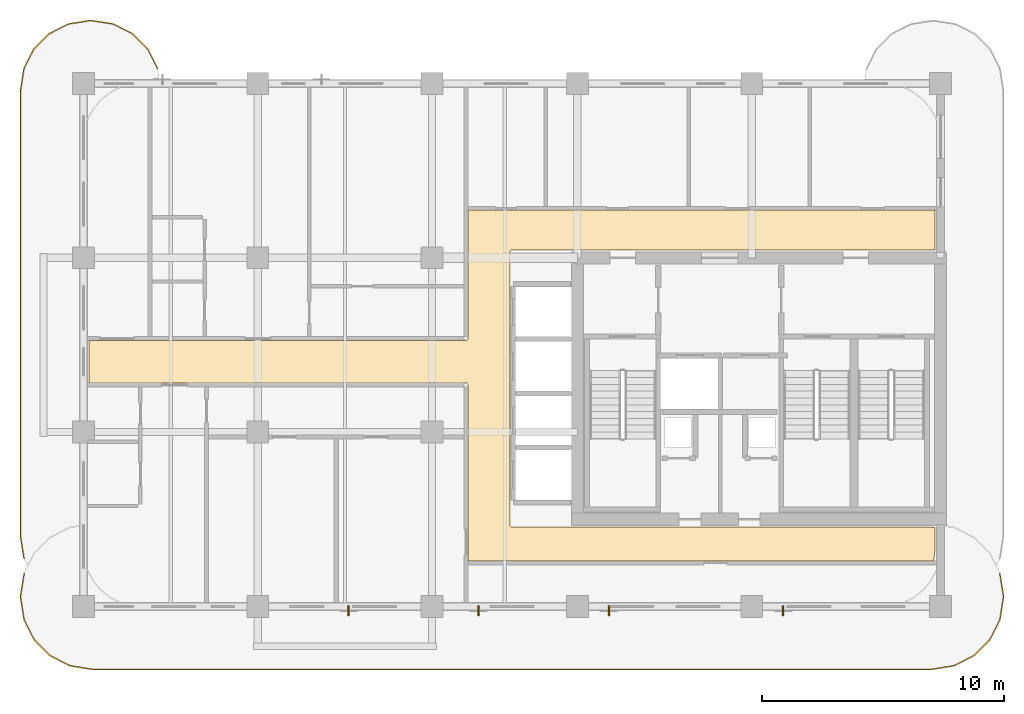
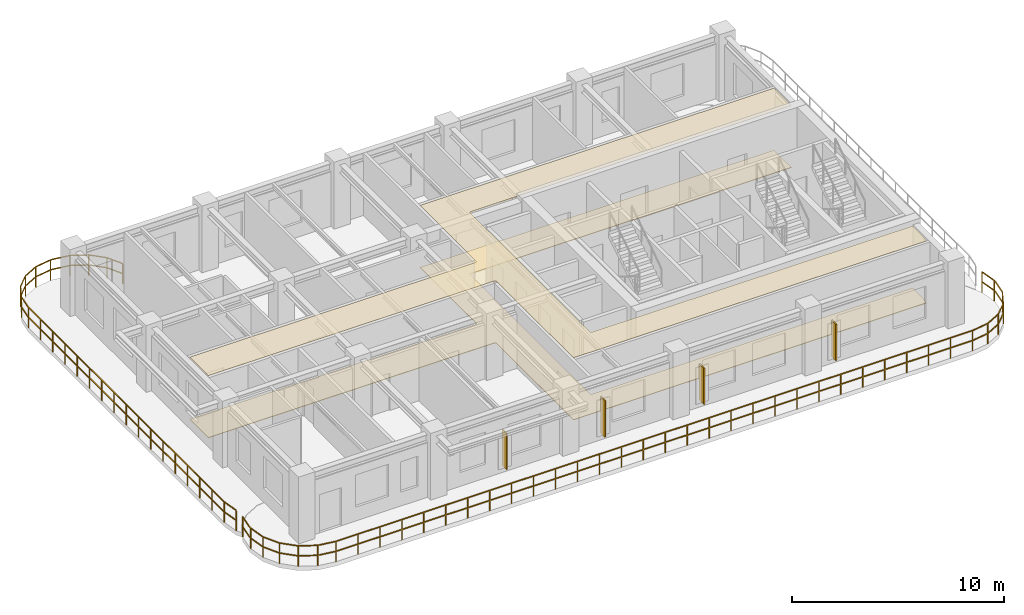
# One storey, part 6 of 7: 4 shading devices, 2 coverings, 2 railings.
"""IFC4 building model written with IfcOpenShell, lengths in metres."""

from ifc_helpers import new_model, si_unit, derived_unit, direction, frame, origin, origin_2d, place, context, subcontext, project, spatial, polyline, rectangle, outline, extrude, source, transform, mapped, material, layer, layer_set, type_object, type_shapes, element, save


model = new_model("IFC4")

# Units and contexts
model_context = context("Model", 3, precision=1e-05, world=origin(), true_north=direction((0.0, 1.0)))
body_context = subcontext(model_context, "Body", "Model", "MODEL_VIEW")
ifc_project = project(units=[si_unit("LENGTHUNIT", "METRE"), si_unit("AREAUNIT", "SQUARE_METRE"), si_unit("VOLUMEUNIT", "CUBIC_METRE"), si_unit("PLANEANGLEUNIT", "RADIAN"), si_unit("MASSUNIT", "GRAM", prefix="KILO"), si_unit("THERMODYNAMICTEMPERATUREUNIT", "KELVIN"), si_unit("POWERUNIT", "WATT"), derived_unit("THERMALTRANSMITTANCEUNIT", [(si_unit("POWERUNIT", "WATT"), 1), (si_unit("AREAUNIT", "SQUARE_METRE"), -1), (si_unit("THERMODYNAMICTEMPERATUREUNIT", "KELVIN"), -1)])], contexts=[model_context])

# Site, building, storey
site_placement = place(None, origin())
site = spatial("IfcSite", under=ifc_project, at=site_placement, CompositionType="ELEMENT")
building_placement = place(site_placement, origin())
building = spatial("IfcBuilding", under=site, at=building_placement, Name="Zahravan Archway Hotel and Residences", CompositionType="ELEMENT")
storey_placement = place(building_placement, frame((0.0, 0.0, 217.300048828125)))
storey = spatial("IfcBuildingStorey", under=building, at=storey_placement, Name="L54", CompositionType="ELEMENT", Elevation=217.300048828125)

# Coverings
ifc_material_1 = material(Name="Perforated Acoustic Gypsum Ceiling")
ifc_layer_1 = layer(ifc_material_1, 0.02490234375, Name="Perforated Acoustic Gypsum Ceiling")
ifc_layer_set_1 = layer_set([ifc_layer_1], Name="Perforated Acoustic Gypsum Ceiling")
covering_type_1 = type_object("IfcCoveringType", Name="COV-CEIL-ACST", PredefinedType="CEILING", material=ifc_layer_set_1)
covering_1_placement = place(storey_placement, frame((0.0, 0.0, 3.574951171875)))
element("IfcCovering", 1, at=covering_1_placement, inside=storey, type_object=covering_type_1, Name="L54 Acoustic Corridor Ceiling", PredefinedType="CEILING", context=body_context, shape_type="SweptSolid", body=[
    extrude(outline(polyline([(30.215576171875, 10.991455078125), (30.256591796875, 11.013427734375), (30.278564453125, 11.054443359375), (30.280029296875, 16.3701171875), (49.580078125, 16.3701171875), (49.580078125, 14.72998046875), (32.10009765625, 14.72998046875), (32.0556640625, 14.716552734375), (32.026123046875, 14.6806640625), (32.02001953125, 3.35009765625), (32.033447265625, 3.3056640625), (32.0693359375, 3.276123046875), (49.580078125, 3.27001953125), (49.580078125, 2.410888671875), (49.537109375, 1.974853515625), (49.50830078125, 1.8798828125), (30.280029296875, 1.8798828125), (30.280029296875, 9.14990234375), (30.2666015625, 9.1943359375), (30.230712890625, 9.223876953125), (14.6201171875, 9.22998046875), (14.6201171875, 10.989990234375), (30.199951171875, 10.989990234375), (30.215576171875, 10.991455078125)])), origin(), (0.0, 0.0, 1.0), 0.02490234375),
])
ifc_material_2 = material(Name="Honed Margalla Limestone & Mortar Bed", Category="masonry")
ifc_layer_2 = layer(ifc_material_2, 0.030029296875, Name="Honed Margalla Limestone & Mortar Bed", Category="masonry")
ifc_layer_set_2 = layer_set([ifc_layer_2], Name="Honed Margalla Limestone & Mortar Bed")
covering_type_2 = type_object("IfcCoveringType", Name="COV-FLR-STONE", PredefinedType="FLOORING", material=ifc_layer_set_2)
covering_2_placement = place(storey_placement, origin())
element("IfcCovering", 2, at=covering_2_placement, inside=storey, type_object=covering_type_2, Name="L54 Circulation Floor Finish", PredefinedType="FLOORING", context=body_context, shape_type="SweptSolid", body=[
    extrude(outline(polyline([(30.215576171875, 10.991455078125), (30.256591796875, 11.013427734375), (30.278564453125, 11.054443359375), (30.280029296875, 16.3701171875), (49.580078125, 16.3701171875), (49.580078125, 14.72998046875), (32.10009765625, 14.72998046875), (32.0556640625, 14.716552734375), (32.026123046875, 14.6806640625), (32.02001953125, 3.35009765625), (32.033447265625, 3.3056640625), (32.0693359375, 3.276123046875), (49.580078125, 3.27001953125), (49.580078125, 2.410888671875), (49.537109375, 1.974853515625), (49.50830078125, 1.8798828125), (30.280029296875, 1.8798828125), (30.280029296875, 9.14990234375), (30.2666015625, 9.1943359375), (30.230712890625, 9.223876953125), (14.6201171875, 9.22998046875), (14.6201171875, 10.989990234375), (30.199951171875, 10.989990234375), (30.215576171875, 10.991455078125)])), origin(), (0.0, 0.0, 1.0), 0.030029296875),
])

# Railings
ifc_material_3 = material(Name="Bronze & Laminated Glass Balustrade", Category="glass")
railing_type = type_object("IfcRailingType", Name="RL-BAL-1200", PredefinedType="BALUSTRADE", material=ifc_material_3)
railing_1_placement = place(storey_placement, frame((52.255615234375, 1.361572265625, 0.0)))
element("IfcRailing", 3, at=railing_1_placement, inside=storey, type_object=railing_type, Name="L54 Balustrade RL-SLB-BAL-L54-SA-1", PredefinedType="BALUSTRADE", context=body_context, shape_type="SweptSolid", body=[
    extrude(rectangle(XDim=0.048095703125, YDim=0.048095703125, at=origin_2d()), frame((0.0, 0.0, 1.17578125), z_axis=(0.156329311416, -0.987704989555, 0.0), x_axis=(0.987704989555, 0.156329311416, 0.0)), (0.0, 0.0, 1.0), 0.9228515625),
    extrude(rectangle(XDim=0.048095703125, YDim=0.048095703125, at=origin_2d()), frame((0.0, 0.0, 0.60009765625), z_axis=(0.156329311416, -0.987704989555, 0.0), x_axis=(0.987704989555, 0.156329311416, 0.0)), (0.0, 0.0, 1.0), 0.9228515625),
    extrude(rectangle(XDim=0.048095703125, YDim=0.048095703125, at=origin_2d()), frame((0.144287109375, -0.91162109375, 1.17578125), z_axis=(0.0, -1.0, 0.0), x_axis=(1.0, 0.0, 0.0)), (0.0, 0.0, 1.0), 0.099853515625),
    extrude(rectangle(XDim=0.048095703125, YDim=0.048095703125, at=origin_2d()), frame((0.144287109375, -0.91162109375, 0.60009765625), z_axis=(0.0, -1.0, 0.0), x_axis=(1.0, 0.0, 0.0)), (0.0, 0.0, 1.0), 0.099853515625),
    extrude(rectangle(XDim=0.048095703125, YDim=0.048095703125, at=origin_2d()), frame((0.144287109375, -1.011474609375, 1.17578125), z_axis=(-0.156329311416, -0.987704989555, 0.0), x_axis=(0.987704989555, -0.156329311416, 0.0)), (0.0, 0.0, 1.0), 0.9228515625),
    extrude(rectangle(XDim=0.048095703125, YDim=0.048095703125, at=origin_2d()), frame((0.144287109375, -1.011474609375, 0.60009765625), z_axis=(-0.156329311416, -0.987704989555, 0.0), x_axis=(0.987704989555, -0.156329311416, 0.0)), (0.0, 0.0, 1.0), 0.9228515625),
    extrude(rectangle(XDim=0.048095703125, YDim=0.048095703125, at=origin_2d()), frame((0.0, -1.923095703125, 1.17578125), z_axis=(-0.453866348456, -0.891069771532, 0.0), x_axis=(0.891069771532, -0.453866348456, 0.0)), (0.0, 0.0, 1.0), 0.923095703125),
    extrude(rectangle(XDim=0.048095703125, YDim=0.048095703125, at=origin_2d()), frame((0.0, -1.923095703125, 0.60009765625), z_axis=(-0.453866348456, -0.891069771532, 0.0), x_axis=(0.891069771532, -0.453866348456, 0.0)), (0.0, 0.0, 1.0), 0.923095703125),
    extrude(rectangle(XDim=0.048095703125, YDim=0.048095703125, at=origin_2d()), frame((-0.4189453125, -2.74560546875, 1.17578125), z_axis=(-0.707106781187, -0.707106781187, 0.0), x_axis=(0.707106781187, -0.707106781187, 0.0)), (0.0, 0.0, 1.0), 0.9228515625),
    extrude(rectangle(XDim=0.048095703125, YDim=0.048095703125, at=origin_2d()), frame((-0.4189453125, -2.74560546875, 0.60009765625), z_axis=(-0.707106781187, -0.707106781187, 0.0), x_axis=(0.707106781187, -0.707106781187, 0.0)), (0.0, 0.0, 1.0), 0.9228515625),
    extrude(rectangle(XDim=0.048095703125, YDim=0.048095703125, at=origin_2d()), frame((-1.071533203125, -3.398193359375, 1.17578125), z_axis=(-0.891069771532, -0.453866348456, 0.0), x_axis=(0.453866348456, -0.891069771532, 0.0)), (0.0, 0.0, 1.0), 0.923095703125),
    extrude(rectangle(XDim=0.048095703125, YDim=0.048095703125, at=origin_2d()), frame((-1.071533203125, -3.398193359375, 0.60009765625), z_axis=(-0.891069771532, -0.453866348456, 0.0), x_axis=(0.453866348456, -0.891069771532, 0.0)), (0.0, 0.0, 1.0), 0.923095703125),
    extrude(rectangle(XDim=0.048095703125, YDim=0.048095703125, at=origin_2d()), frame((-1.89404296875, -3.817138671875, 1.17578125), z_axis=(-0.98766411426, -0.156587347521, 0.0), x_axis=(0.156587347521, -0.98766411426, 0.0)), (0.0, 0.0, 1.0), 0.923095703125),
    extrude(rectangle(XDim=0.048095703125, YDim=0.048095703125, at=origin_2d()), frame((-1.89404296875, -3.817138671875, 0.60009765625), z_axis=(-0.98766411426, -0.156587347521, 0.0), x_axis=(0.156587347521, -0.98766411426, 0.0)), (0.0, 0.0, 1.0), 0.923095703125),
    extrude(rectangle(XDim=0.048095703125, YDim=0.048095703125, at=origin_2d()), frame((-2.8056640625, -3.961669921875, 1.17578125), z_axis=(-1.0, 0.0, 0.0), x_axis=(0.0, -1.0, 0.0)), (0.0, 0.0, 1.0), 34.699951171875),
    extrude(rectangle(XDim=0.048095703125, YDim=0.048095703125, at=origin_2d()), frame((-2.8056640625, -3.961669921875, 0.60009765625), z_axis=(-1.0, 0.0, 0.0), x_axis=(0.0, -1.0, 0.0)), (0.0, 0.0, 1.0), 34.699951171875),
    extrude(rectangle(XDim=0.048095703125, YDim=0.048095703125, at=origin_2d()), frame((-37.505615234375, -3.961669921875, 1.17578125), z_axis=(-0.98766411426, 0.156587347521, 0.0), x_axis=(-0.156587347521, -0.98766411426, 0.0)), (0.0, 0.0, 1.0), 0.923095703125),
    extrude(rectangle(XDim=0.048095703125, YDim=0.048095703125, at=origin_2d()), frame((-37.505615234375, -3.961669921875, 0.60009765625), z_axis=(-0.98766411426, 0.156587347521, 0.0), x_axis=(-0.156587347521, -0.98766411426, 0.0)), (0.0, 0.0, 1.0), 0.923095703125),
    extrude(rectangle(XDim=0.048095703125, YDim=0.048095703125, at=origin_2d()), frame((-38.417236328125, -3.817138671875, 1.17578125), z_axis=(-0.891015268556, 0.453973337542, 0.0), x_axis=(-0.453973337542, -0.891015268556, 0.0)), (0.0, 0.0, 1.0), 0.9228515625),
    extrude(rectangle(XDim=0.048095703125, YDim=0.048095703125, at=origin_2d()), frame((-38.417236328125, -3.817138671875, 0.60009765625), z_axis=(-0.891015268556, 0.453973337542, 0.0), x_axis=(-0.453973337542, -0.891015268556, 0.0)), (0.0, 0.0, 1.0), 0.9228515625),
    extrude(rectangle(XDim=0.048095703125, YDim=0.048095703125, at=origin_2d()), frame((-39.239501953125, -3.398193359375, 1.17578125), z_axis=(-0.707239012465, 0.706974525176, 0.0), x_axis=(-0.706974525176, -0.707239012465, 0.0)), (0.0, 0.0, 1.0), 0.923095703125),
    extrude(rectangle(XDim=0.048095703125, YDim=0.048095703125, at=origin_2d()), frame((-39.239501953125, -3.398193359375, 0.60009765625), z_axis=(-0.707239012465, 0.706974525176, 0.0), x_axis=(-0.706974525176, -0.707239012465, 0.0)), (0.0, 0.0, 1.0), 0.923095703125),
    extrude(rectangle(XDim=0.048095703125, YDim=0.048095703125, at=origin_2d()), frame((-39.892333984375, -2.74560546875, 1.17578125), z_axis=(-0.453866348456, 0.891069771532, 0.0), x_axis=(-0.891069771532, -0.453866348456, 0.0)), (0.0, 0.0, 1.0), 0.923095703125),
    extrude(rectangle(XDim=0.048095703125, YDim=0.048095703125, at=origin_2d()), frame((-39.892333984375, -2.74560546875, 0.60009765625), z_axis=(-0.453866348456, 0.891069771532, 0.0), x_axis=(-0.891069771532, -0.453866348456, 0.0)), (0.0, 0.0, 1.0), 0.923095703125),
    extrude(rectangle(XDim=0.048095703125, YDim=0.048095703125, at=origin_2d()), frame((-40.311279296875, -1.923095703125, 1.17578125), z_axis=(-0.156329311416, 0.987704989555, 0.0), x_axis=(-0.987704989555, -0.156329311416, 0.0)), (0.0, 0.0, 1.0), 0.9228515625),
    extrude(rectangle(XDim=0.048095703125, YDim=0.048095703125, at=origin_2d()), frame((-40.311279296875, -1.923095703125, 0.60009765625), z_axis=(-0.156329311416, 0.987704989555, 0.0), x_axis=(-0.987704989555, -0.156329311416, 0.0)), (0.0, 0.0, 1.0), 0.9228515625),
    extrude(rectangle(XDim=0.048095703125, YDim=0.048095703125, at=origin_2d()), frame((-40.45556640625, -1.011474609375, 1.17578125), z_axis=(0.0, 1.0, 0.0), x_axis=(-1.0, 0.0, 0.0)), (0.0, 0.0, 1.0), 0.099853515625),
    extrude(rectangle(XDim=0.048095703125, YDim=0.048095703125, at=origin_2d()), frame((-40.45556640625, -1.011474609375, 0.60009765625), z_axis=(0.0, 1.0, 0.0), x_axis=(-1.0, 0.0, 0.0)), (0.0, 0.0, 1.0), 0.099853515625),
    extrude(rectangle(XDim=0.048095703125, YDim=0.048095703125, at=origin_2d()), frame((-40.45556640625, -0.91162109375, 1.17578125), z_axis=(0.156329311416, 0.987704989555, 0.0), x_axis=(-0.987704989555, 0.156329311416, 0.0)), (0.0, 0.0, 1.0), 0.9228515625),
    extrude(rectangle(XDim=0.048095703125, YDim=0.048095703125, at=origin_2d()), frame((-40.45556640625, -0.91162109375, 0.60009765625), z_axis=(0.156329311416, 0.987704989555, 0.0), x_axis=(-0.987704989555, 0.156329311416, 0.0)), (0.0, 0.0, 1.0), 0.9228515625),
    extrude(rectangle(XDim=0.0419921875, YDim=0.0419921875, at=origin_2d()), origin(), (0.0, 0.0, 1.0), 1.15185546875),
    extrude(rectangle(XDim=0.0419921875, YDim=0.0419921875, at=origin_2d()), frame((0.144287109375, -0.91162109375, 0.0)), (0.0, 0.0, 1.0), 1.15185546875),
    extrude(rectangle(XDim=0.0419921875, YDim=0.0419921875, at=origin_2d()), frame((0.0, -1.923095703125, 0.0)), (0.0, 0.0, 1.0), 1.15185546875),
    extrude(rectangle(XDim=0.0419921875, YDim=0.0419921875, at=origin_2d()), frame((-0.4189453125, -2.74560546875, 0.0)), (0.0, 0.0, 1.0), 1.15185546875),
    extrude(rectangle(XDim=0.0419921875, YDim=0.0419921875, at=origin_2d()), frame((-1.071533203125, -3.398193359375, 0.0)), (0.0, 0.0, 1.0), 1.15185546875),
    extrude(rectangle(XDim=0.0419921875, YDim=0.0419921875, at=origin_2d()), frame((-1.89404296875, -3.817138671875, 0.0)), (0.0, 0.0, 1.0), 1.15185546875),
    extrude(rectangle(XDim=0.0419921875, YDim=0.0419921875, at=origin_2d()), frame((-2.8056640625, -3.961669921875, 0.0)), (0.0, 0.0, 1.0), 1.15185546875),
    extrude(rectangle(XDim=0.0419921875, YDim=0.0419921875, at=origin_2d()), frame((-4.002197265625, -3.961669921875, 0.0)), (0.0, 0.0, 1.0), 1.15185546875),
    extrude(rectangle(XDim=0.0419921875, YDim=0.0419921875, at=origin_2d()), frame((-5.19873046875, -3.961669921875, 0.0)), (0.0, 0.0, 1.0), 1.15185546875),
    extrude(rectangle(XDim=0.0419921875, YDim=0.0419921875, at=origin_2d()), frame((-6.395263671875, -3.961669921875, 0.0)), (0.0, 0.0, 1.0), 1.15185546875),
    extrude(rectangle(XDim=0.0419921875, YDim=0.0419921875, at=origin_2d()), frame((-7.591796875, -3.961669921875, 0.0)), (0.0, 0.0, 1.0), 1.15185546875),
    extrude(rectangle(XDim=0.0419921875, YDim=0.0419921875, at=origin_2d()), frame((-8.788330078125, -3.961669921875, 0.0)), (0.0, 0.0, 1.0), 1.15185546875),
    extrude(rectangle(XDim=0.0419921875, YDim=0.0419921875, at=origin_2d()), frame((-9.98486328125, -3.961669921875, 0.0)), (0.0, 0.0, 1.0), 1.15185546875),
    extrude(rectangle(XDim=0.0419921875, YDim=0.0419921875, at=origin_2d()), frame((-11.181396484375, -3.961669921875, 0.0)), (0.0, 0.0, 1.0), 1.15185546875),
    extrude(rectangle(XDim=0.0419921875, YDim=0.0419921875, at=origin_2d()), frame((-12.378173828125, -3.961669921875, 0.0)), (0.0, 0.0, 1.0), 1.15185546875),
    extrude(rectangle(XDim=0.0419921875, YDim=0.0419921875, at=origin_2d()), frame((-13.57470703125, -3.961669921875, 0.0)), (0.0, 0.0, 1.0), 1.15185546875),
    extrude(rectangle(XDim=0.0419921875, YDim=0.0419921875, at=origin_2d()), frame((-14.771240234375, -3.961669921875, 0.0)), (0.0, 0.0, 1.0), 1.15185546875),
    extrude(rectangle(XDim=0.0419921875, YDim=0.0419921875, at=origin_2d()), frame((-15.9677734375, -3.961669921875, 0.0)), (0.0, 0.0, 1.0), 1.15185546875),
    extrude(rectangle(XDim=0.0419921875, YDim=0.0419921875, at=origin_2d()), frame((-17.164306640625, -3.961669921875, 0.0)), (0.0, 0.0, 1.0), 1.15185546875),
    extrude(rectangle(XDim=0.0419921875, YDim=0.0419921875, at=origin_2d()), frame((-18.36083984375, -3.961669921875, 0.0)), (0.0, 0.0, 1.0), 1.15185546875),
    extrude(rectangle(XDim=0.0419921875, YDim=0.0419921875, at=origin_2d()), frame((-19.557373046875, -3.961669921875, 0.0)), (0.0, 0.0, 1.0), 1.15185546875),
    extrude(rectangle(XDim=0.0419921875, YDim=0.0419921875, at=origin_2d()), frame((-20.75390625, -3.961669921875, 0.0)), (0.0, 0.0, 1.0), 1.15185546875),
    extrude(rectangle(XDim=0.0419921875, YDim=0.0419921875, at=origin_2d()), frame((-21.950439453125, -3.961669921875, 0.0)), (0.0, 0.0, 1.0), 1.15185546875),
    extrude(rectangle(XDim=0.0419921875, YDim=0.0419921875, at=origin_2d()), frame((-23.14697265625, -3.961669921875, 0.0)), (0.0, 0.0, 1.0), 1.15185546875),
    extrude(rectangle(XDim=0.0419921875, YDim=0.0419921875, at=origin_2d()), frame((-24.343505859375, -3.961669921875, 0.0)), (0.0, 0.0, 1.0), 1.15185546875),
    extrude(rectangle(XDim=0.0419921875, YDim=0.0419921875, at=origin_2d()), frame((-25.5400390625, -3.961669921875, 0.0)), (0.0, 0.0, 1.0), 1.15185546875),
    extrude(rectangle(XDim=0.0419921875, YDim=0.0419921875, at=origin_2d()), frame((-26.736572265625, -3.961669921875, 0.0)), (0.0, 0.0, 1.0), 1.15185546875),
    extrude(rectangle(XDim=0.0419921875, YDim=0.0419921875, at=origin_2d()), frame((-27.93310546875, -3.961669921875, 0.0)), (0.0, 0.0, 1.0), 1.15185546875),
    extrude(rectangle(XDim=0.0419921875, YDim=0.0419921875, at=origin_2d()), frame((-29.1298828125, -3.961669921875, 0.0)), (0.0, 0.0, 1.0), 1.15185546875),
    extrude(rectangle(XDim=0.0419921875, YDim=0.0419921875, at=origin_2d()), frame((-30.326416015625, -3.961669921875, 0.0)), (0.0, 0.0, 1.0), 1.15185546875),
    extrude(rectangle(XDim=0.0419921875, YDim=0.0419921875, at=origin_2d()), frame((-31.52294921875, -3.961669921875, 0.0)), (0.0, 0.0, 1.0), 1.15185546875),
    extrude(rectangle(XDim=0.0419921875, YDim=0.0419921875, at=origin_2d()), frame((-32.719482421875, -3.961669921875, 0.0)), (0.0, 0.0, 1.0), 1.15185546875),
    extrude(rectangle(XDim=0.0419921875, YDim=0.0419921875, at=origin_2d()), frame((-33.916015625, -3.961669921875, 0.0)), (0.0, 0.0, 1.0), 1.15185546875),
    extrude(rectangle(XDim=0.0419921875, YDim=0.0419921875, at=origin_2d()), frame((-35.112548828125, -3.961669921875, 0.0)), (0.0, 0.0, 1.0), 1.15185546875),
    extrude(rectangle(XDim=0.0419921875, YDim=0.0419921875, at=origin_2d()), frame((-36.30908203125, -3.961669921875, 0.0)), (0.0, 0.0, 1.0), 1.15185546875),
    extrude(rectangle(XDim=0.0419921875, YDim=0.0419921875, at=origin_2d()), frame((-37.505615234375, -3.961669921875, 0.0)), (0.0, 0.0, 1.0), 1.15185546875),
    extrude(rectangle(XDim=0.0419921875, YDim=0.0419921875, at=origin_2d()), frame((-38.417236328125, -3.817138671875, 0.0)), (0.0, 0.0, 1.0), 1.15185546875),
    extrude(rectangle(XDim=0.0419921875, YDim=0.0419921875, at=origin_2d()), frame((-39.239501953125, -3.398193359375, 0.0)), (0.0, 0.0, 1.0), 1.15185546875),
    extrude(rectangle(XDim=0.0419921875, YDim=0.0419921875, at=origin_2d()), frame((-39.892333984375, -2.74560546875, 0.0)), (0.0, 0.0, 1.0), 1.15185546875),
    extrude(rectangle(XDim=0.0419921875, YDim=0.0419921875, at=origin_2d()), frame((-40.311279296875, -1.923095703125, 0.0)), (0.0, 0.0, 1.0), 1.15185546875),
    extrude(rectangle(XDim=0.0419921875, YDim=0.0419921875, at=origin_2d()), frame((-40.45556640625, -1.011474609375, 0.0)), (0.0, 0.0, 1.0), 1.15185546875),
    extrude(rectangle(XDim=0.0419921875, YDim=0.0419921875, at=origin_2d()), frame((-40.311279296875, 0.0, 0.0)), (0.0, 0.0, 1.0), 1.15185546875),
])
railing_2_placement = place(storey_placement, frame((11.939453125, 1.96923828125, 0.0)))
element("IfcRailing", 4, at=railing_2_placement, inside=storey, type_object=railing_type, Name="L54 Balustrade RL-SLB-BAL-L54-WA-1", PredefinedType="BALUSTRADE", context=body_context, shape_type="SweptSolid", body=[
    extrude(rectangle(XDim=0.048095703125, YDim=0.048095703125, at=origin_2d()), frame((0.0, 0.0, 1.17578125), z_axis=(-0.156314005608, 0.987707411965, 0.0), x_axis=(-0.987707411965, -0.156314005608, 0.0)), (0.0, 0.0, 1.0), 0.891845703125),
    extrude(rectangle(XDim=0.048095703125, YDim=0.048095703125, at=origin_2d()), frame((0.0, 0.0, 0.60009765625), z_axis=(-0.156314005608, 0.987707411965, 0.0), x_axis=(-0.987707411965, -0.156314005608, 0.0)), (0.0, 0.0, 1.0), 0.891845703125),
    extrude(rectangle(XDim=0.048095703125, YDim=0.048095703125, at=origin_2d()), frame((-0.139404296875, 0.880859375, 1.17578125), z_axis=(0.0, 1.0, 0.0), x_axis=(-1.0, 0.0, 0.0)), (0.0, 0.0, 1.0), 18.5),
    extrude(rectangle(XDim=0.048095703125, YDim=0.048095703125, at=origin_2d()), frame((-0.139404296875, 0.880859375, 0.60009765625), z_axis=(0.0, 1.0, 0.0), x_axis=(-1.0, 0.0, 0.0)), (0.0, 0.0, 1.0), 18.5),
    extrude(rectangle(XDim=0.048095703125, YDim=0.048095703125, at=origin_2d()), frame((-0.139404296875, 19.380859375, 1.17578125), z_axis=(0.156356282588, 0.987700720307, 0.0), x_axis=(-0.987700720307, 0.156356282588, 0.0)), (0.0, 0.0, 1.0), 0.8916015625),
    extrude(rectangle(XDim=0.048095703125, YDim=0.048095703125, at=origin_2d()), frame((-0.139404296875, 19.380859375, 0.60009765625), z_axis=(0.156356282588, 0.987700720307, 0.0), x_axis=(-0.987700720307, 0.156356282588, 0.0)), (0.0, 0.0, 1.0), 0.8916015625),
    extrude(rectangle(XDim=0.048095703125, YDim=0.048095703125, at=origin_2d()), frame((0.0, 20.261474609375, 1.17578125), z_axis=(0.453991409995, 0.891006060389, 0.0), x_axis=(-0.891006060389, 0.453991409995, 0.0)), (0.0, 0.0, 1.0), 0.8916015625),
    extrude(rectangle(XDim=0.048095703125, YDim=0.048095703125, at=origin_2d()), frame((0.0, 20.261474609375, 0.60009765625), z_axis=(0.453991409995, 0.891006060389, 0.0), x_axis=(-0.891006060389, 0.453991409995, 0.0)), (0.0, 0.0, 1.0), 0.8916015625),
    extrude(rectangle(XDim=0.048095703125, YDim=0.048095703125, at=origin_2d()), frame((0.40478515625, 21.055908203125, 1.17578125), z_axis=(0.707106781187, 0.707106781187, 0.0), x_axis=(-0.707106781187, 0.707106781187, 0.0)), (0.0, 0.0, 1.0), 0.891845703125),
    extrude(rectangle(XDim=0.048095703125, YDim=0.048095703125, at=origin_2d()), frame((0.40478515625, 21.055908203125, 0.60009765625), z_axis=(0.707106781187, 0.707106781187, 0.0), x_axis=(-0.707106781187, 0.707106781187, 0.0)), (0.0, 0.0, 1.0), 0.891845703125),
    extrude(rectangle(XDim=0.048095703125, YDim=0.048095703125, at=origin_2d()), frame((1.035400390625, 21.6865234375, 1.17578125), z_axis=(0.891006060389, 0.453991409995, 0.0), x_axis=(-0.453991409995, 0.891006060389, 0.0)), (0.0, 0.0, 1.0), 0.8916015625),
    extrude(rectangle(XDim=0.048095703125, YDim=0.048095703125, at=origin_2d()), frame((1.035400390625, 21.6865234375, 0.60009765625), z_axis=(0.891006060389, 0.453991409995, 0.0), x_axis=(-0.453991409995, 0.891006060389, 0.0)), (0.0, 0.0, 1.0), 0.8916015625),
    extrude(rectangle(XDim=0.048095703125, YDim=0.048095703125, at=origin_2d()), frame((1.829833984375, 22.09130859375, 1.17578125), z_axis=(0.987700720307, 0.156356282588, 0.0), x_axis=(-0.156356282588, 0.987700720307, 0.0)), (0.0, 0.0, 1.0), 0.8916015625),
    extrude(rectangle(XDim=0.048095703125, YDim=0.048095703125, at=origin_2d()), frame((1.829833984375, 22.09130859375, 0.60009765625), z_axis=(0.987700720307, 0.156356282588, 0.0), x_axis=(-0.156356282588, 0.987700720307, 0.0)), (0.0, 0.0, 1.0), 0.8916015625),
    extrude(rectangle(XDim=0.048095703125, YDim=0.048095703125, at=origin_2d()), frame((2.71044921875, 22.230712890625, 1.17578125), z_axis=(1.0, 0.0, 0.0), x_axis=(0.0, 1.0, 0.0)), (0.0, 0.0, 1.0), 0.10009765625),
    extrude(rectangle(XDim=0.048095703125, YDim=0.048095703125, at=origin_2d()), frame((2.71044921875, 22.230712890625, 0.60009765625), z_axis=(1.0, 0.0, 0.0), x_axis=(0.0, 1.0, 0.0)), (0.0, 0.0, 1.0), 0.10009765625),
    extrude(rectangle(XDim=0.048095703125, YDim=0.048095703125, at=origin_2d()), frame((2.810546875, 22.230712890625, 1.17578125), z_axis=(0.987700720307, -0.156356282588, 0.0), x_axis=(0.156356282588, 0.987700720307, 0.0)), (0.0, 0.0, 1.0), 0.8916015625),
    extrude(rectangle(XDim=0.048095703125, YDim=0.048095703125, at=origin_2d()), frame((2.810546875, 22.230712890625, 0.60009765625), z_axis=(0.987700720307, -0.156356282588, 0.0), x_axis=(0.156356282588, 0.987700720307, 0.0)), (0.0, 0.0, 1.0), 0.8916015625),
    extrude(rectangle(XDim=0.048095703125, YDim=0.048095703125, at=origin_2d()), frame((3.691162109375, 22.09130859375, 1.17578125), z_axis=(0.891062476022, -0.45388067135, 0.0), x_axis=(0.45388067135, 0.891062476022, 0.0)), (0.0, 0.0, 1.0), 0.891845703125),
    extrude(rectangle(XDim=0.048095703125, YDim=0.048095703125, at=origin_2d()), frame((3.691162109375, 22.09130859375, 0.60009765625), z_axis=(0.891062476022, -0.45388067135, 0.0), x_axis=(0.45388067135, 0.891062476022, 0.0)), (0.0, 0.0, 1.0), 0.891845703125),
    extrude(rectangle(XDim=0.048095703125, YDim=0.048095703125, at=origin_2d()), frame((4.48583984375, 21.6865234375, 1.17578125), z_axis=(0.706969864397, -0.70724367147, 0.0), x_axis=(0.70724367147, 0.706969864397, 0.0)), (0.0, 0.0, 1.0), 0.8916015625),
    extrude(rectangle(XDim=0.048095703125, YDim=0.048095703125, at=origin_2d()), frame((4.48583984375, 21.6865234375, 0.60009765625), z_axis=(0.706969864397, -0.70724367147, 0.0), x_axis=(0.70724367147, 0.706969864397, 0.0)), (0.0, 0.0, 1.0), 0.8916015625),
    extrude(rectangle(XDim=0.048095703125, YDim=0.048095703125, at=origin_2d()), frame((5.1162109375, 21.055908203125, 1.17578125), z_axis=(0.453991409995, -0.891006060389, 0.0), x_axis=(0.891006060389, 0.453991409995, 0.0)), (0.0, 0.0, 1.0), 0.8916015625),
    extrude(rectangle(XDim=0.048095703125, YDim=0.048095703125, at=origin_2d()), frame((5.1162109375, 21.055908203125, 0.60009765625), z_axis=(0.453991409995, -0.891006060389, 0.0), x_axis=(0.891006060389, 0.453991409995, 0.0)), (0.0, 0.0, 1.0), 0.8916015625),
    extrude(rectangle(XDim=0.0419921875, YDim=0.0419921875, at=origin_2d()), origin(), (0.0, 0.0, 1.0), 1.15185546875),
    extrude(rectangle(XDim=0.0419921875, YDim=0.0419921875, at=origin_2d()), frame((-0.139404296875, 0.880859375, 0.0)), (0.0, 0.0, 1.0), 1.15185546875),
    extrude(rectangle(XDim=0.0419921875, YDim=0.0419921875, at=origin_2d()), frame((-0.139404296875, 2.037109375, 0.0)), (0.0, 0.0, 1.0), 1.15185546875),
    extrude(rectangle(XDim=0.0419921875, YDim=0.0419921875, at=origin_2d()), frame((-0.139404296875, 3.193359375, 0.0)), (0.0, 0.0, 1.0), 1.15185546875),
    extrude(rectangle(XDim=0.0419921875, YDim=0.0419921875, at=origin_2d()), frame((-0.139404296875, 4.349609375, 0.0)), (0.0, 0.0, 1.0), 1.15185546875),
    extrude(rectangle(XDim=0.0419921875, YDim=0.0419921875, at=origin_2d()), frame((-0.139404296875, 5.505859375, 0.0)), (0.0, 0.0, 1.0), 1.15185546875),
    extrude(rectangle(XDim=0.0419921875, YDim=0.0419921875, at=origin_2d()), frame((-0.139404296875, 6.662109375, 0.0)), (0.0, 0.0, 1.0), 1.15185546875),
    extrude(rectangle(XDim=0.0419921875, YDim=0.0419921875, at=origin_2d()), frame((-0.139404296875, 7.818359375, 0.0)), (0.0, 0.0, 1.0), 1.15185546875),
    extrude(rectangle(XDim=0.0419921875, YDim=0.0419921875, at=origin_2d()), frame((-0.139404296875, 8.974609375, 0.0)), (0.0, 0.0, 1.0), 1.15185546875),
    extrude(rectangle(XDim=0.0419921875, YDim=0.0419921875, at=origin_2d()), frame((-0.139404296875, 10.130859375, 0.0)), (0.0, 0.0, 1.0), 1.15185546875),
    extrude(rectangle(XDim=0.0419921875, YDim=0.0419921875, at=origin_2d()), frame((-0.139404296875, 11.287109375, 0.0)), (0.0, 0.0, 1.0), 1.15185546875),
    extrude(rectangle(XDim=0.0419921875, YDim=0.0419921875, at=origin_2d()), frame((-0.139404296875, 12.443359375, 0.0)), (0.0, 0.0, 1.0), 1.15185546875),
    extrude(rectangle(XDim=0.0419921875, YDim=0.0419921875, at=origin_2d()), frame((-0.139404296875, 13.599609375, 0.0)), (0.0, 0.0, 1.0), 1.15185546875),
    extrude(rectangle(XDim=0.0419921875, YDim=0.0419921875, at=origin_2d()), frame((-0.139404296875, 14.755859375, 0.0)), (0.0, 0.0, 1.0), 1.15185546875),
    extrude(rectangle(XDim=0.0419921875, YDim=0.0419921875, at=origin_2d()), frame((-0.139404296875, 15.912109375, 0.0)), (0.0, 0.0, 1.0), 1.15185546875),
    extrude(rectangle(XDim=0.0419921875, YDim=0.0419921875, at=origin_2d()), frame((-0.139404296875, 17.068359375, 0.0)), (0.0, 0.0, 1.0), 1.15185546875),
    extrude(rectangle(XDim=0.0419921875, YDim=0.0419921875, at=origin_2d()), frame((-0.139404296875, 18.224609375, 0.0)), (0.0, 0.0, 1.0), 1.15185546875),
    extrude(rectangle(XDim=0.0419921875, YDim=0.0419921875, at=origin_2d()), frame((-0.139404296875, 19.380859375, 0.0)), (0.0, 0.0, 1.0), 1.15185546875),
    extrude(rectangle(XDim=0.0419921875, YDim=0.0419921875, at=origin_2d()), frame((0.0, 20.261474609375, 0.0)), (0.0, 0.0, 1.0), 1.15185546875),
    extrude(rectangle(XDim=0.0419921875, YDim=0.0419921875, at=origin_2d()), frame((0.40478515625, 21.055908203125, 0.0)), (0.0, 0.0, 1.0), 1.15185546875),
    extrude(rectangle(XDim=0.0419921875, YDim=0.0419921875, at=origin_2d()), frame((1.035400390625, 21.6865234375, 0.0)), (0.0, 0.0, 1.0), 1.15185546875),
    extrude(rectangle(XDim=0.0419921875, YDim=0.0419921875, at=origin_2d()), frame((1.829833984375, 22.09130859375, 0.0)), (0.0, 0.0, 1.0), 1.15185546875),
    extrude(rectangle(XDim=0.0419921875, YDim=0.0419921875, at=origin_2d()), frame((2.71044921875, 22.230712890625, 0.0)), (0.0, 0.0, 1.0), 1.15185546875),
    extrude(rectangle(XDim=0.0419921875, YDim=0.0419921875, at=origin_2d()), frame((3.691162109375, 22.09130859375, 0.0)), (0.0, 0.0, 1.0), 1.15185546875),
    extrude(rectangle(XDim=0.0419921875, YDim=0.0419921875, at=origin_2d()), frame((4.48583984375, 21.6865234375, 0.0)), (0.0, 0.0, 1.0), 1.15185546875),
    extrude(rectangle(XDim=0.0419921875, YDim=0.0419921875, at=origin_2d()), frame((5.1162109375, 21.055908203125, 0.0)), (0.0, 0.0, 1.0), 1.15185546875),
    extrude(rectangle(XDim=0.0419921875, YDim=0.0419921875, at=origin_2d()), frame((5.52099609375, 20.261474609375, 0.0)), (0.0, 0.0, 1.0), 1.15185546875),
])

# Shading devices
ifc_material_4 = material(Name="Terracotta & Bronze Solar Brise-Soleil", Category="masonry")
ifc_layer_3 = layer(ifc_material_4, 0.06005859375, Name="Terracotta & Bronze Solar Brise-Soleil", Category="masonry")
ifc_layer_set_3 = layer_set([ifc_layer_3], Name="Terracotta & Bronze Solar Brise-Soleil")
shading_device_type = type_object("IfcShadingDeviceType", Name="SHD-MASH-FIN", PredefinedType="JALOUSIE", material=ifc_layer_set_3)
shared_shape = source(origin(), body_context, "Body", "SweptSolid", [
    extrude(rectangle(XDim=0.06005859375, YDim=0.419921875, at=origin_2d()), origin(), (0.0, 0.0, 1.0), 2.10009765625),
])
type_shapes(shading_device_type, [shared_shape])
for number, where, z_axis, x_axis, name in (
    (5, (25.347900390625, -0.177978515625, 0.25), (0.0, 0.0, 1.0), (1.0, 0.0, 0.0), "L54 Solar Mashrabiya Fin 01"),
    (6, (30.7080078125, -0.177978515625, 0.25), (0.0, 0.0, 1.0), (1.0, 0.0, 0.0), "L54 Solar Mashrabiya Fin 02"),
    (7, (36.10009765625, -0.177978515625, 0.25), (0.0, 0.0, 1.0), (1.0, 0.0, 0.0), "L54 Solar Mashrabiya Fin 03"),
    (8, (43.300048828125, -0.177978515625, 0.25), (0.0, 0.0, 1.0), (1.0, 0.0, 0.0), "L54 Solar Mashrabiya Fin 04"),
):
    element("IfcShadingDevice", number, at=place(storey_placement, frame(where, z_axis=z_axis, x_axis=x_axis)), inside=storey, type_object=shading_device_type, Name=name, PredefinedType="JALOUSIE", context=body_context, shape_type="MappedRepresentation", body=[
        mapped(shared_shape, transform((0.0, 0.0, 0.0), scale=1.0)),
    ])

save(model, "model.ifc")
